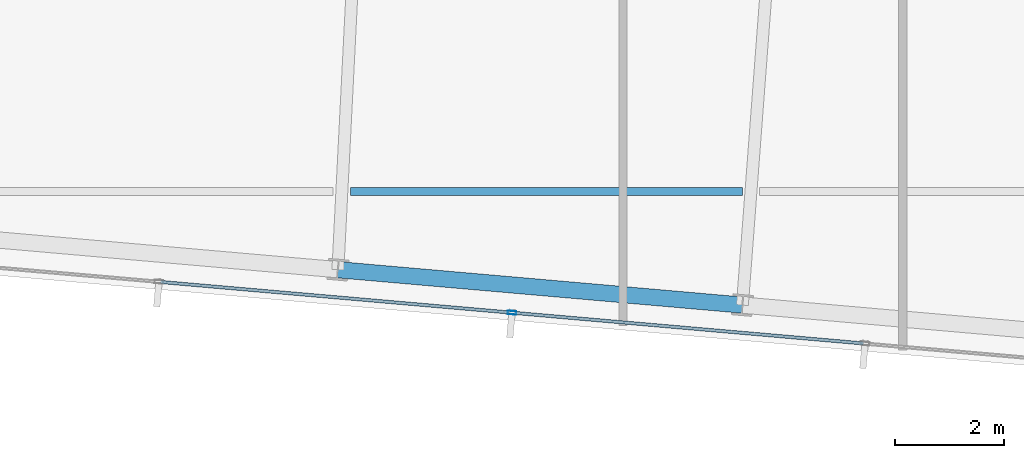
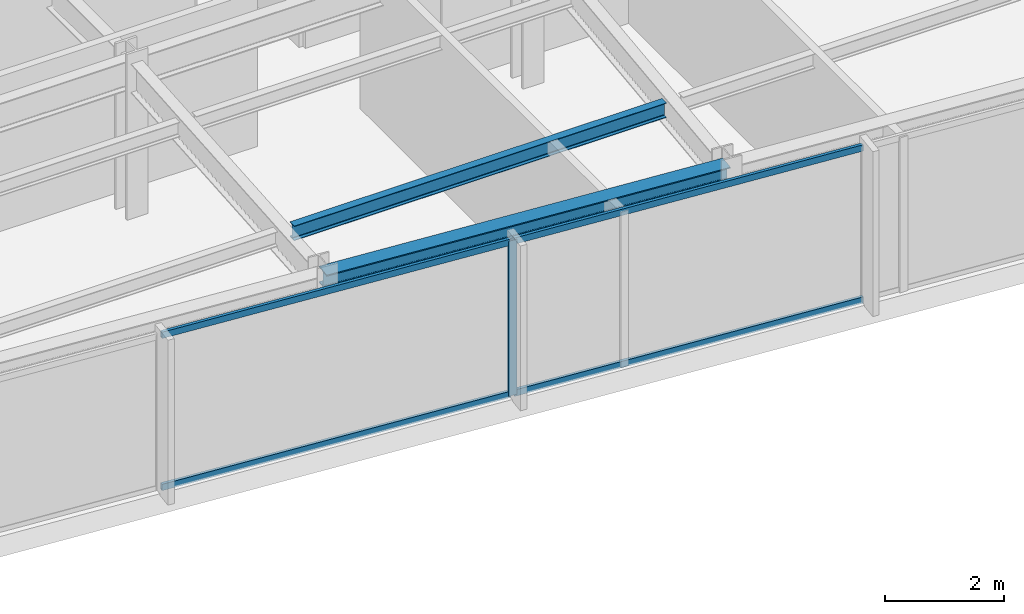
# One storey, part 7 of 32: 5 members, 2 beams, 1 element without a shape of its own.
"""IFC4 building model written with IfcOpenShell, lengths in metres."""

from ifc_helpers import new_model, si_unit, direction, frame, origin, origin_2d, place, context, subcontext, project, spatial, hollow_rectangle, i_section, extrude, material, material_profile, profile_set, type_object, element, aggregate, save


model = new_model("IFC4")

# Units and contexts
model_context = context("Model", 3, precision=1e-05, world=origin(), true_north=direction((0.0, 1.0)))
body_context = subcontext(model_context, "Body", "Model", "MODEL_VIEW")
ifc_project = project(units=[si_unit("LENGTHUNIT", "METRE"), si_unit("AREAUNIT", "SQUARE_METRE"), si_unit("VOLUMEUNIT", "CUBIC_METRE"), si_unit("PLANEANGLEUNIT", "RADIAN"), si_unit("MASSUNIT", "GRAM", prefix="KILO")], contexts=[model_context])

# Site, building, storey
site_placement = place(None, origin())
site = spatial("IfcSite", under=ifc_project, at=site_placement, CompositionType="ELEMENT")
building_placement = place(site_placement, origin())
building = spatial("IfcBuilding", under=site, at=building_placement, Name="Yelkora Congress Tower", CompositionType="ELEMENT")
storey_placement = place(building_placement, frame((0.0, 0.0, 259.10009765625)))
storey = spatial("IfcBuildingStorey", under=building, at=storey_placement, Name="L72", CompositionType="ELEMENT", Elevation=259.10009765625)

# Beams
ifc_material_1 = material(Name="Steel S355J2", Category="steel")
ifc_material_profile_1 = material_profile(ifc_material_1, i_section(OverallWidth=0.14990234375, OverallDepth=0.300048828125, WebThickness=0.007080078125, FlangeThickness=0.0107421875, FilletRadius=0.014892578125, at=origin_2d()), Name="IPE 300")
ifc_profile_set_1 = profile_set([ifc_material_profile_1], Name="Steel S355J2")
beam_type_1 = type_object("IfcBeamType", Name="BM-JOIST-IPE300", PredefinedType="JOIST", material=ifc_profile_set_1)
beam_1_placement = place(storey_placement, frame((30.595703125, 19.58447265625, 3.02978515625), z_axis=(1.0, 0.0, 0.0), x_axis=(0.0, 1.0, 0.0)))
element("IfcBeam", 1, at=beam_1_placement, inside=storey, type_object=beam_type_1, Name="L72 Composite Floor Joist 2", PredefinedType="JOIST", context=body_context, shape_type="SweptSolid", body=[
    extrude(i_section(OverallWidth=0.14990234375, OverallDepth=0.300048828125, WebThickness=0.007080078125, FlangeThickness=0.0107421875, FilletRadius=0.014892578125, at=origin_2d()), origin(), (0.0, 0.0, 1.0), 7.219970703125),
])
ifc_material_profile_2 = material_profile(ifc_material_1, i_section(OverallWidth=0.300048828125, OverallDepth=0.340087890625, WebThickness=0.011962890625, FlangeThickness=0.021484375, FilletRadius=0.027099609375, at=origin_2d()), Name="HEB 340")
ifc_profile_set_2 = profile_set([ifc_material_profile_2], Name="Steel S355J2")
beam_type_2 = type_object("IfcBeamType", Name="BM-SPAN-HEB340", PredefinedType="SPANDREL", material=ifc_profile_set_2)
beam_2_placement = place(storey_placement, frame((30.362548828125, 18.14111328125, 3.010009765625), z_axis=(0.99619601894, -0.087140644067, 0.0), x_axis=(0.087140644067, 0.99619601894, 0.0)))
element("IfcBeam", 2, at=beam_2_placement, inside=storey, type_object=beam_type_2, Name="L72 Perimeter Beam 4", PredefinedType="SPANDREL", context=body_context, shape_type="SweptSolid", body=[
    extrude(i_section(OverallWidth=0.300048828125, OverallDepth=0.340087890625, WebThickness=0.011962890625, FlangeThickness=0.021484375, FilletRadius=0.027099609375, at=origin_2d()), origin(), (0.0, 0.0, 1.0), 7.4833984375),
])

# Curtain wall, members
ifc_material_2 = material(Name="Anodised aluminium and insulated glass", Category="aluminium")
curtain_wall_type = type_object("IfcCurtainWallType", Name="CW-SYS-B5", PredefinedType="NOTDEFINED", material=ifc_material_2)
curtain_wall_placement = place(storey_placement, origin())
curtain_wall = element("IfcCurtainWall", 3, at=curtain_wall_placement, inside=storey, type_object=curtain_wall_type, Name="L72 Unitised Curtain Wall 20", PredefinedType="NOTDEFINED")
ifc_material_3 = material(Name="Anodised aluminium 6063-T6", Category="aluminium")
ifc_material_profile_3 = material_profile(ifc_material_3, hollow_rectangle(XDim=0.06494140625, YDim=0.159912109375, WallThickness=0.00390625, at=origin_2d()), Name="ALU 65x160x4")
ifc_profile_set_3 = profile_set([ifc_material_profile_3], Name="Anodised aluminium 6063-T6")
member_type_1 = type_object("IfcMemberType", Name="MEM-ML-B5", PredefinedType="MULLION", material=ifc_profile_set_3)
member_1_placement = place(storey_placement, frame((33.571533203125, 17.348388671875, 0.0), z_axis=(0.0, 0.0, 1.0), x_axis=(-0.087156829793, -0.996194602987, 0.0)))
member_1 = element("IfcMember", 4, at=member_1_placement, type_object=member_type_1, Name="CW-B5 mullion 4", PredefinedType="MULLION", context=body_context, shape_type="SweptSolid", body=[
    extrude(hollow_rectangle(XDim=0.06494140625, YDim=0.159912109375, WallThickness=0.00390625, at=origin_2d()), origin(), (0.0, 0.0, 1.0), 3.179931640625),
])
ifc_material_profile_4 = material_profile(ifc_material_3, hollow_rectangle(XDim=0.06005859375, YDim=0.1298828125, WallThickness=0.00390625, at=origin_2d()), Name="ALU 60x130x4")
ifc_profile_set_4 = profile_set([ifc_material_profile_4], Name="Anodised aluminium 6063-T6")
member_type_2 = type_object("IfcMemberType", Name="MEM-TR-B5", PredefinedType="USERDEFINED", material=ifc_profile_set_4)
member_2_placement = place(storey_placement, frame((40.045654296875, 16.781982421875, 0.02978515625), z_axis=(-0.996192979814, 0.08717538052, 0.0), x_axis=(-0.08717538052, -0.996192979814, 0.0)))
member_2 = element("IfcMember", 5, at=member_2_placement, type_object=member_type_2, Name="CW-B5 transom 3.1", ObjectType="TRANSOM", PredefinedType="USERDEFINED", context=body_context, shape_type="SweptSolid", body=[
    extrude(hollow_rectangle(XDim=0.06005859375, YDim=0.1298828125, WallThickness=0.00390625, at=origin_2d()), origin(), (0.0, 0.0, 1.0), 6.466552734375),
])
member_3_placement = place(storey_placement, frame((40.045654296875, 16.781982421875, 3.14990234375), z_axis=(-0.996192979814, 0.08717538052, 0.0), x_axis=(-0.08717538052, -0.996192979814, 0.0)))
member_3 = element("IfcMember", 6, at=member_3_placement, type_object=member_type_2, Name="CW-B5 transom 3.2", ObjectType="TRANSOM", PredefinedType="USERDEFINED", context=body_context, shape_type="SweptSolid", body=[
    extrude(hollow_rectangle(XDim=0.06005859375, YDim=0.1298828125, WallThickness=0.00390625, at=origin_2d()), origin(), (0.0, 0.0, 1.0), 6.466552734375),
])
member_4_placement = place(storey_placement, frame((33.5390625, 17.351318359375, 0.02978515625), z_axis=(-0.996196257862, 0.087137912649, 0.0), x_axis=(-0.087137912649, -0.996196257862, 0.0)))
member_4 = element("IfcMember", 7, at=member_4_placement, type_object=member_type_2, Name="CW-B5 transom 4.1", ObjectType="TRANSOM", PredefinedType="USERDEFINED", context=body_context, shape_type="SweptSolid", body=[
    extrude(hollow_rectangle(XDim=0.06005859375, YDim=0.1298828125, WallThickness=0.00390625, at=origin_2d()), origin(), (0.0, 0.0, 1.0), 6.466552734375),
])
member_5_placement = place(storey_placement, frame((33.5390625, 17.351318359375, 3.14990234375), z_axis=(-0.996196257862, 0.087137912649, 0.0), x_axis=(-0.087137912649, -0.996196257862, 0.0)))
member_5 = element("IfcMember", 8, at=member_5_placement, type_object=member_type_2, Name="CW-B5 transom 4.2", ObjectType="TRANSOM", PredefinedType="USERDEFINED", context=body_context, shape_type="SweptSolid", body=[
    extrude(hollow_rectangle(XDim=0.06005859375, YDim=0.1298828125, WallThickness=0.00390625, at=origin_2d()), origin(), (0.0, 0.0, 1.0), 6.466552734375),
])
aggregate(curtain_wall, [member_1, member_2, member_3, member_4, member_5])

save(model, "model.ifc")
